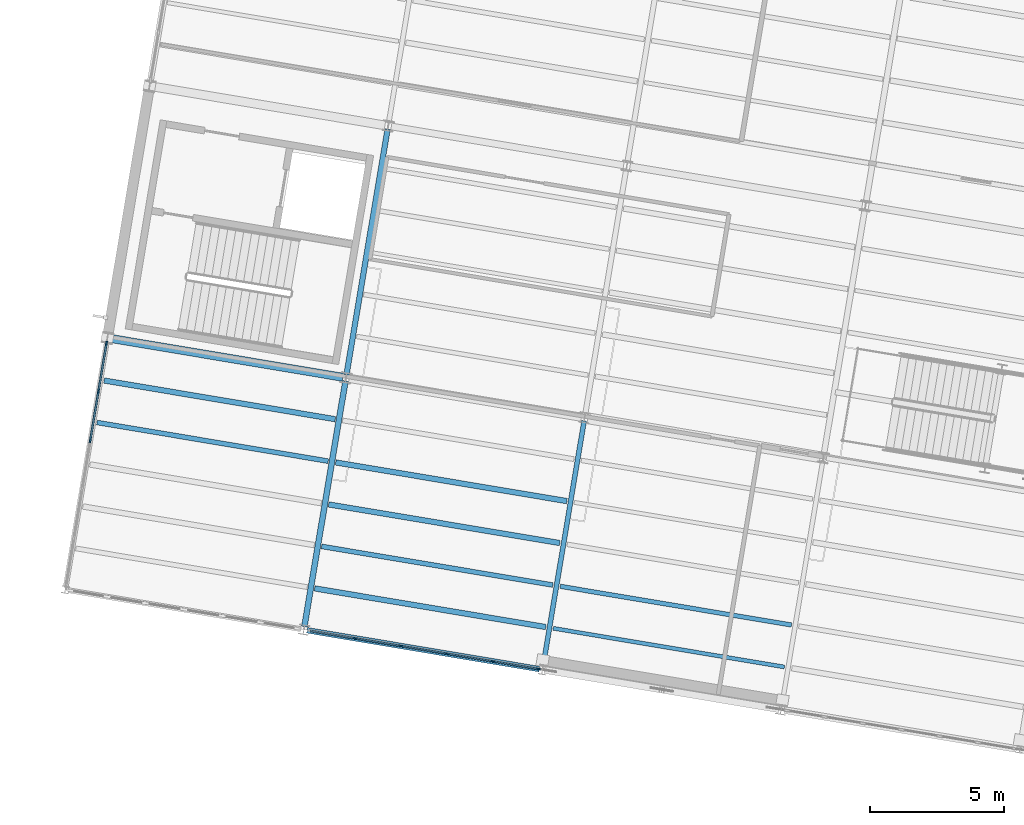
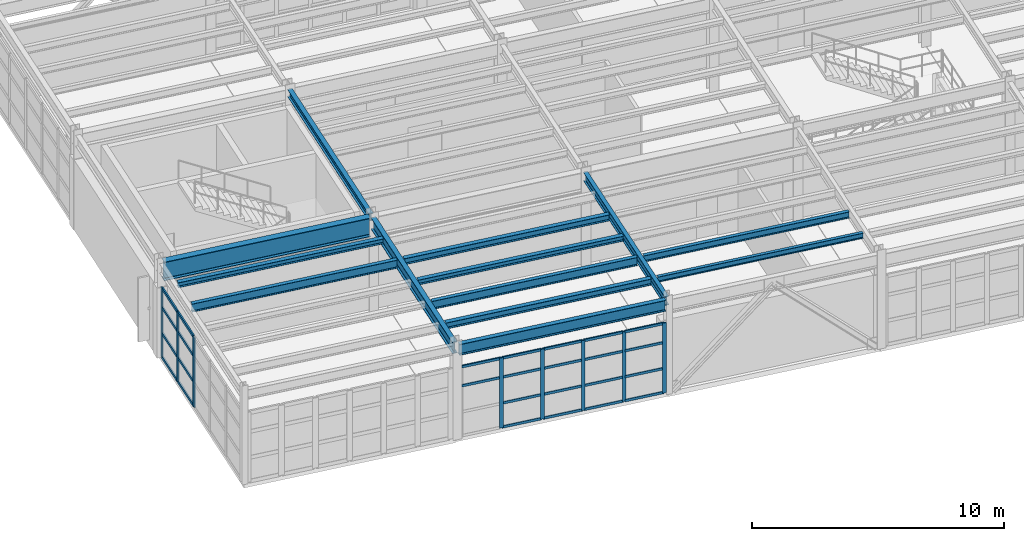
# One storey, part 40 of 109: 34 members, 13 beams, 2 elements without a shape of their own.
"""IFC4 building model written with IfcOpenShell, lengths in metres."""

from ifc_helpers import new_model, si_unit, direction, frame, origin, origin_2d, place, context, subcontext, project, spatial, rectangle, i_section, extrude, material, layer, layer_set, material_profile, profile_set, type_object, element, aggregate, save


model = new_model("IFC4")

# Units and contexts
model_context = context("Model", 3, precision=1e-05, world=origin(), true_north=direction((0.0, 1.0)))
body_context = subcontext(model_context, "Body", "Model", "MODEL_VIEW")
ifc_project = project(units=[si_unit("LENGTHUNIT", "METRE"), si_unit("AREAUNIT", "SQUARE_METRE"), si_unit("VOLUMEUNIT", "CUBIC_METRE"), si_unit("PLANEANGLEUNIT", "RADIAN"), si_unit("MASSUNIT", "GRAM", prefix="KILO")], contexts=[model_context])

# Site, building, storey
site_placement = place(None, origin())
site = spatial("IfcSite", under=ifc_project, at=site_placement, CompositionType="ELEMENT")
building_placement = place(site_placement, origin())
building = spatial("IfcBuilding", under=site, at=building_placement, Name="Vireo Bluff Cable Station", CompositionType="ELEMENT")
storey_placement = place(building_placement, frame((0.0, 0.0, 4.800048828125)))
storey = spatial("IfcBuildingStorey", under=building, at=storey_placement, Name="L01", CompositionType="ELEMENT", Elevation=4.800048828125)

# Beams
ifc_material_1 = material(Name="Steel ASTM A992 Gr. 50", Category="steel")
ifc_material_profile_1 = material_profile(ifc_material_1, i_section(OverallWidth=0.2041015625, OverallDepth=0.35009765625, WebThickness=0.008544921875, FlangeThickness=0.01513671875, FilletRadius=0.010009765625, at=origin_2d()), Name="W14X48")
ifc_profile_set_1 = profile_set([ifc_material_profile_1], Name="Steel ASTM A992 Gr. 50")
beam_type_1 = type_object("IfcBeamType", Name="BM-W14X48", PredefinedType="BEAM", material=ifc_profile_set_1)
beam_1_placement = place(storey_placement, frame((15.96435546875, 79.502685546875, 4.364990234375), z_axis=(0.165044536891, 0.986286115102, 0.0), x_axis=(-0.986286115102, 0.165044536891, 0.0)))
element("IfcBeam", 1, at=beam_1_placement, inside=storey, type_object=beam_type_1, Name="V4 L01 beam 896", PredefinedType="BEAM", context=body_context, shape_type="SweptSolid", body=[
    extrude(i_section(OverallWidth=0.2041015625, OverallDepth=0.35009765625, WebThickness=0.008544921875, FlangeThickness=0.01513671875, FilletRadius=0.010009765625, at=origin_2d()), origin(), (0.0, 0.0, 1.0), 9.260009765625),
])
ifc_material_profile_2 = material_profile(ifc_material_1, i_section(OverallWidth=0.180908203125, OverallDepth=0.4169921875, WebThickness=0.010986328125, FlangeThickness=0.018310546875, FilletRadius=0.010009765625, at=origin_2d()), Name="W16X57")
ifc_profile_set_2 = profile_set([ifc_material_profile_2], Name="Steel ASTM A992 Gr. 50")
beam_type_2 = type_object("IfcBeamType", Name="BM-W16X57", PredefinedType="BEAM", material=ifc_profile_set_2)
beam_2_placement = place(storey_placement, frame((23.27294921875, 68.6474609375, 4.33154296875), z_axis=(0.165044536891, 0.986286115102, 0.0), x_axis=(-0.986286115102, 0.165044536891, 0.0)))
element("IfcBeam", 2, at=beam_2_placement, inside=storey, type_object=beam_type_2, Name="V4 L01 beam 898", PredefinedType="BEAM", context=body_context, shape_type="SweptSolid", body=[
    extrude(i_section(OverallWidth=0.180908203125, OverallDepth=0.4169921875, WebThickness=0.010986328125, FlangeThickness=0.018310546875, FilletRadius=0.010009765625, at=origin_2d()), origin(), (0.0, 0.0, 1.0), 9.260009765625),
])
ifc_material_profile_3 = material_profile(ifc_material_1, i_section(OverallWidth=0.214111328125, OverallDepth=0.549072265625, WebThickness=0.0146484375, FlangeThickness=0.023681640625, FilletRadius=0.012939453125, at=origin_2d()), Name="W21X93")
ifc_profile_set_3 = profile_set([ifc_material_profile_3], Name="Steel ASTM A992 Gr. 50")
beam_type_3 = type_object("IfcBeamType", Name="BM-W21X93", PredefinedType="BEAM", material=ifc_profile_set_3)
beam_3_placement = place(storey_placement, frame((14.396484375, 70.1328125, 4.265380859375), z_axis=(0.165044536891, 0.986286115102, 0.0), x_axis=(-0.986286115102, 0.165044536891, 0.0)))
element("IfcBeam", 3, at=beam_3_placement, inside=storey, type_object=beam_type_3, Name="V4 L01 beam 895", PredefinedType="BEAM", context=body_context, shape_type="SweptSolid", body=[
    extrude(i_section(OverallWidth=0.214111328125, OverallDepth=0.549072265625, WebThickness=0.0146484375, FlangeThickness=0.023681640625, FilletRadius=0.012939453125, at=origin_2d()), origin(), (0.0, 0.0, 1.0), 9.260009765625),
])

# Curtain wall, members
ifc_material_2 = material(Name="Anodized Aluminium 6063-T6", Category="aluminium")
ifc_layer_1 = layer(ifc_material_2, 0.159912109375, Name="Anodized Aluminium 6063-T6")
ifc_layer_set_1 = layer_set([ifc_layer_1], Name="Anodized Aluminium 6063-T6")
curtain_wall_type_1 = type_object("IfcCurtainWallType", Name="CW-STICK-1750", PredefinedType="USERDEFINED", material=ifc_layer_set_1)
curtain_wall_1_placement = place(storey_placement, origin())
curtain_wall_1 = element("IfcCurtainWall", 4, at=curtain_wall_1_placement, inside=storey, type_object=curtain_wall_type_1, Name="V4 L01 west curtain wall CW-088", ObjectType="STICK CURTAIN WALL", PredefinedType="USERDEFINED")
ifc_material_profile_4 = material_profile(ifc_material_2, rectangle(XDim=0.06494140625, YDim=0.179931640625, at=origin_2d()), Name="ALU-M-65X180")
ifc_profile_set_4 = profile_set([ifc_material_profile_4], Name="Anodized Aluminium 6063-T6")
member_type_1 = type_object("IfcMemberType", Name="CWM-01", PredefinedType="MULLION", material=ifc_profile_set_4)
member_1_placement = place(storey_placement, frame((6.431396484375, 77.0654296875, 0.0), z_axis=(0.0, 0.0, 1.0), x_axis=(-0.986285590637, 0.165047670998, 0.0)))
member_1 = element("IfcMember", 5, at=member_1_placement, type_object=member_type_1, Name="CW-088 mullion 4", PredefinedType="MULLION", context=body_context, shape_type="SweptSolid", body=[
    extrude(rectangle(XDim=0.06494140625, YDim=0.179931640625, at=origin_2d()), origin(), (0.0, 0.0, 1.0), 3.39990234375),
])
member_2_placement = place(storey_placement, frame((6.734619140625, 78.8779296875, 0.0), z_axis=(0.0, 0.0, 1.0), x_axis=(-0.986285590637, 0.165047670998, 0.0)))
member_2 = element("IfcMember", 6, at=member_2_placement, type_object=member_type_1, Name="CW-088 mullion 5", PredefinedType="MULLION", context=body_context, shape_type="SweptSolid", body=[
    extrude(rectangle(XDim=0.06494140625, YDim=0.179931640625, at=origin_2d()), origin(), (0.0, 0.0, 1.0), 3.39990234375),
])
member_3_placement = place(storey_placement, frame((7.032470703125, 80.658203125, 0.0), z_axis=(0.0, 0.0, 1.0), x_axis=(-0.986285590637, 0.165047670998, 0.0)))
member_3 = element("IfcMember", 7, at=member_3_placement, type_object=member_type_1, Name="CW-088 mullion 6", PredefinedType="MULLION", context=body_context, shape_type="SweptSolid", body=[
    extrude(rectangle(XDim=0.06494140625, YDim=0.179931640625, at=origin_2d()), origin(), (0.0, 0.0, 1.0), 3.39990234375),
])

ifc_layer_2 = layer(ifc_material_2, 0.179931640625, Name="Anodized Aluminium 6063-T6")
ifc_layer_set_2 = layer_set([ifc_layer_2], Name="Anodized Aluminium 6063-T6")
curtain_wall_type_2 = type_object("IfcCurtainWallType", Name="CW-UNIT-1650", PredefinedType="USERDEFINED", material=ifc_layer_set_2)
curtain_wall_2_placement = place(storey_placement, origin())
curtain_wall_2 = element("IfcCurtainWall", 8, at=curtain_wall_2_placement, inside=storey, type_object=curtain_wall_type_2, Name="V4 L01 south curtain wall CW-086", ObjectType="UNITISED CURTAIN WALL", PredefinedType="USERDEFINED")
ifc_material_profile_5 = material_profile(ifc_material_2, rectangle(XDim=0.06005859375, YDim=0.159912109375, at=origin_2d()), Name="ALU-M-60X160")
ifc_profile_set_5 = profile_set([ifc_material_profile_5], Name="Anodized Aluminium 6063-T6")
member_type_2 = type_object("IfcMemberType", Name="CWM-03", PredefinedType="MULLION", material=ifc_profile_set_5)
member_4_placement = place(storey_placement, frame((23.0947265625, 68.5556640625, 0.0), z_axis=(0.0, 0.0, 1.0), x_axis=(-0.165047619064, -0.986285599328, 0.0)))
member_4 = element("IfcMember", 9, at=member_4_placement, type_object=member_type_2, Name="CW-086 mullion 1", PredefinedType="MULLION", context=body_context, shape_type="SweptSolid", body=[
    extrude(rectangle(XDim=0.06005859375, YDim=0.159912109375, at=origin_2d()), origin(), (0.0, 0.0, 1.0), 3.39990234375),
])
member_5_placement = place(storey_placement, frame((21.411865234375, 68.83740234375, 0.0), z_axis=(0.0, 0.0, 1.0), x_axis=(-0.165047619064, -0.986285599328, 0.0)))
member_5 = element("IfcMember", 10, at=member_5_placement, type_object=member_type_2, Name="CW-086 mullion 2", PredefinedType="MULLION", context=body_context, shape_type="SweptSolid", body=[
    extrude(rectangle(XDim=0.06005859375, YDim=0.159912109375, at=origin_2d()), origin(), (0.0, 0.0, 1.0), 3.39990234375),
])
member_6_placement = place(storey_placement, frame((19.698974609375, 69.123779296875, 0.0), z_axis=(0.0, 0.0, 1.0), x_axis=(-0.165047619064, -0.986285599328, 0.0)))
member_6 = element("IfcMember", 11, at=member_6_placement, type_object=member_type_2, Name="CW-086 mullion 3", PredefinedType="MULLION", context=body_context, shape_type="SweptSolid", body=[
    extrude(rectangle(XDim=0.06005859375, YDim=0.159912109375, at=origin_2d()), origin(), (0.0, 0.0, 1.0), 3.39990234375),
])
member_7_placement = place(storey_placement, frame((17.986328125, 69.410400390625, 0.0), z_axis=(0.0, 0.0, 1.0), x_axis=(-0.165047619064, -0.986285599328, 0.0)))
member_7 = element("IfcMember", 12, at=member_7_placement, type_object=member_type_2, Name="CW-086 mullion 4", PredefinedType="MULLION", context=body_context, shape_type="SweptSolid", body=[
    extrude(rectangle(XDim=0.06005859375, YDim=0.159912109375, at=origin_2d()), origin(), (0.0, 0.0, 1.0), 3.39990234375),
])
member_8_placement = place(storey_placement, frame((16.273681640625, 69.697021484375, 0.0), z_axis=(0.0, 0.0, 1.0), x_axis=(-0.165047619064, -0.986285599328, 0.0)))
member_8 = element("IfcMember", 13, at=member_8_placement, type_object=member_type_2, Name="CW-086 mullion 5", PredefinedType="MULLION", context=body_context, shape_type="SweptSolid", body=[
    extrude(rectangle(XDim=0.06005859375, YDim=0.159912109375, at=origin_2d()), origin(), (0.0, 0.0, 1.0), 3.39990234375),
])

# Member
ifc_material_profile_6 = material_profile(ifc_material_2, rectangle(XDim=0.06494140625, YDim=0.139892578125, at=origin_2d()), Name="ALU-T-65X140")
ifc_profile_set_6 = profile_set([ifc_material_profile_6], Name="Anodized Aluminium 6063-T6")
member_type_3 = type_object("IfcMemberType", Name="CWT-01", PredefinedType="USERDEFINED", material=ifc_profile_set_6)
member_9_placement = place(storey_placement, frame((6.436767578125, 77.097412109375, 0.032470703125), z_axis=(0.165001995958, 0.986293232933, 0.0), x_axis=(-0.986293232933, 0.165001995958, 0.0)))
member_9 = element("IfcMember", 14, at=member_9_placement, type_object=member_type_3, Name="CW-088 transom 4.1", ObjectType="TRANSOM", PredefinedType="USERDEFINED", context=body_context, shape_type="SweptSolid", body=[
    extrude(rectangle(XDim=0.06494140625, YDim=0.139892578125, at=origin_2d()), origin(), (0.0, 0.0, 1.0), 1.772705078125),
])

member_10_placement = place(storey_placement, frame((6.436767578125, 77.097412109375, 1.18994140625), z_axis=(0.165001995958, 0.986293232933, 0.0), x_axis=(-0.986293232933, 0.165001995958, 0.0)))
member_10 = element("IfcMember", 15, at=member_10_placement, type_object=member_type_3, Name="CW-088 transom 4.2", ObjectType="TRANSOM", PredefinedType="USERDEFINED", context=body_context, shape_type="SweptSolid", body=[
    extrude(rectangle(XDim=0.06494140625, YDim=0.139892578125, at=origin_2d()), origin(), (0.0, 0.0, 1.0), 1.772705078125),
])

member_11_placement = place(storey_placement, frame((6.436767578125, 77.097412109375, 2.447998046875), z_axis=(0.165001995958, 0.986293232933, 0.0), x_axis=(-0.986293232933, 0.165001995958, 0.0)))
member_11 = element("IfcMember", 16, at=member_11_placement, type_object=member_type_3, Name="CW-088 transom 4.3", ObjectType="TRANSOM", PredefinedType="USERDEFINED", context=body_context, shape_type="SweptSolid", body=[
    extrude(rectangle(XDim=0.06494140625, YDim=0.139892578125, at=origin_2d()), origin(), (0.0, 0.0, 1.0), 1.772705078125),
])

member_12_placement = place(storey_placement, frame((6.436767578125, 77.097412109375, 3.367431640625), z_axis=(0.165001995958, 0.986293232933, 0.0), x_axis=(-0.986293232933, 0.165001995958, 0.0)))
member_12 = element("IfcMember", 17, at=member_12_placement, type_object=member_type_3, Name="CW-088 transom 4.4", ObjectType="TRANSOM", PredefinedType="USERDEFINED", context=body_context, shape_type="SweptSolid", body=[
    extrude(rectangle(XDim=0.06494140625, YDim=0.139892578125, at=origin_2d()), origin(), (0.0, 0.0, 1.0), 1.772705078125),
])

member_13_placement = place(storey_placement, frame((6.739990234375, 78.909912109375, 0.032470703125), z_axis=(0.164990484578, 0.986295158661, 0.0), x_axis=(-0.986295158661, 0.164990484578, 0.0)))
member_13 = element("IfcMember", 18, at=member_13_placement, type_object=member_type_3, Name="CW-088 transom 5.1", ObjectType="TRANSOM", PredefinedType="USERDEFINED", context=body_context, shape_type="SweptSolid", body=[
    extrude(rectangle(XDim=0.06494140625, YDim=0.139892578125, at=origin_2d()), origin(), (0.0, 0.0, 1.0), 1.740234375),
])

member_14_placement = place(storey_placement, frame((6.739990234375, 78.909912109375, 1.18994140625), z_axis=(0.164990484578, 0.986295158661, 0.0), x_axis=(-0.986295158661, 0.164990484578, 0.0)))
member_14 = element("IfcMember", 19, at=member_14_placement, type_object=member_type_3, Name="CW-088 transom 5.2", ObjectType="TRANSOM", PredefinedType="USERDEFINED", context=body_context, shape_type="SweptSolid", body=[
    extrude(rectangle(XDim=0.06494140625, YDim=0.139892578125, at=origin_2d()), origin(), (0.0, 0.0, 1.0), 1.740234375),
])

member_15_placement = place(storey_placement, frame((6.739990234375, 78.909912109375, 2.447998046875), z_axis=(0.164990484578, 0.986295158661, 0.0), x_axis=(-0.986295158661, 0.164990484578, 0.0)))
member_15 = element("IfcMember", 20, at=member_15_placement, type_object=member_type_3, Name="CW-088 transom 5.3", ObjectType="TRANSOM", PredefinedType="USERDEFINED", context=body_context, shape_type="SweptSolid", body=[
    extrude(rectangle(XDim=0.06494140625, YDim=0.139892578125, at=origin_2d()), origin(), (0.0, 0.0, 1.0), 1.740234375),
])

member_16_placement = place(storey_placement, frame((6.739990234375, 78.909912109375, 3.367431640625), z_axis=(0.164990484578, 0.986295158661, 0.0), x_axis=(-0.986295158661, 0.164990484578, 0.0)))
member_16 = element("IfcMember", 21, at=member_16_placement, type_object=member_type_3, Name="CW-088 transom 5.4", ObjectType="TRANSOM", PredefinedType="USERDEFINED", context=body_context, shape_type="SweptSolid", body=[
    extrude(rectangle(XDim=0.06494140625, YDim=0.139892578125, at=origin_2d()), origin(), (0.0, 0.0, 1.0), 1.740234375),
])

aggregate(curtain_wall_1, [member_1, member_2, member_3, member_9, member_10, member_11, member_12, member_13, member_14, member_15, member_16])

ifc_material_profile_7 = material_profile(ifc_material_2, rectangle(XDim=0.06005859375, YDim=0.1201171875, at=origin_2d()), Name="ALU-T-60X120")
ifc_profile_set_7 = profile_set([ifc_material_profile_7], Name="Anodized Aluminium 6063-T6")
member_type_4 = type_object("IfcMemberType", Name="CWT-03", PredefinedType="USERDEFINED", material=ifc_profile_set_7)
member_17_placement = place(storey_placement, frame((23.065185546875, 68.560546875, 0.030029296875), z_axis=(-0.986285497568, 0.165048227153, 0.0), x_axis=(-0.165048227153, -0.986285497568, 0.0)))
member_17 = element("IfcMember", 22, at=member_17_placement, type_object=member_type_4, Name="CW-086 transom 1.1", ObjectType="TRANSOM", PredefinedType="USERDEFINED", context=body_context, shape_type="SweptSolid", body=[
    extrude(rectangle(XDim=0.06005859375, YDim=0.1201171875, at=origin_2d()), origin(), (0.0, 0.0, 1.0), 1.646240234375),
])

member_18_placement = place(storey_placement, frame((23.065185546875, 68.560546875, 1.18994140625), z_axis=(-0.986285497568, 0.165048227153, 0.0), x_axis=(-0.165048227153, -0.986285497568, 0.0)))
member_18 = element("IfcMember", 23, at=member_18_placement, type_object=member_type_4, Name="CW-086 transom 1.2", ObjectType="TRANSOM", PredefinedType="USERDEFINED", context=body_context, shape_type="SweptSolid", body=[
    extrude(rectangle(XDim=0.06005859375, YDim=0.1201171875, at=origin_2d()), origin(), (0.0, 0.0, 1.0), 1.646240234375),
])

member_19_placement = place(storey_placement, frame((23.065185546875, 68.560546875, 2.447998046875), z_axis=(-0.986285497568, 0.165048227153, 0.0), x_axis=(-0.165048227153, -0.986285497568, 0.0)))
member_19 = element("IfcMember", 24, at=member_19_placement, type_object=member_type_4, Name="CW-086 transom 1.3", ObjectType="TRANSOM", PredefinedType="USERDEFINED", context=body_context, shape_type="SweptSolid", body=[
    extrude(rectangle(XDim=0.06005859375, YDim=0.1201171875, at=origin_2d()), origin(), (0.0, 0.0, 1.0), 1.646240234375),
])

member_20_placement = place(storey_placement, frame((23.065185546875, 68.560546875, 3.369873046875), z_axis=(-0.986285497568, 0.165048227153, 0.0), x_axis=(-0.165048227153, -0.986285497568, 0.0)))
member_20 = element("IfcMember", 25, at=member_20_placement, type_object=member_type_4, Name="CW-086 transom 1.4", ObjectType="TRANSOM", PredefinedType="USERDEFINED", context=body_context, shape_type="SweptSolid", body=[
    extrude(rectangle(XDim=0.06005859375, YDim=0.1201171875, at=origin_2d()), origin(), (0.0, 0.0, 1.0), 1.646240234375),
])

member_21_placement = place(storey_placement, frame((21.382080078125, 68.84228515625, 0.030029296875), z_axis=(-0.986291389279, 0.165013015956, 0.0), x_axis=(-0.165013015956, -0.986291389279, 0.0)))
member_21 = element("IfcMember", 26, at=member_21_placement, type_object=member_type_4, Name="CW-086 transom 2.1", ObjectType="TRANSOM", PredefinedType="USERDEFINED", context=body_context, shape_type="SweptSolid", body=[
    extrude(rectangle(XDim=0.06005859375, YDim=0.1201171875, at=origin_2d()), origin(), (0.0, 0.0, 1.0), 1.67626953125),
])

member_22_placement = place(storey_placement, frame((21.382080078125, 68.84228515625, 1.18994140625), z_axis=(-0.986291389279, 0.165013015956, 0.0), x_axis=(-0.165013015956, -0.986291389279, 0.0)))
member_22 = element("IfcMember", 27, at=member_22_placement, type_object=member_type_4, Name="CW-086 transom 2.2", ObjectType="TRANSOM", PredefinedType="USERDEFINED", context=body_context, shape_type="SweptSolid", body=[
    extrude(rectangle(XDim=0.06005859375, YDim=0.1201171875, at=origin_2d()), origin(), (0.0, 0.0, 1.0), 1.67626953125),
])

member_23_placement = place(storey_placement, frame((21.382080078125, 68.84228515625, 2.447998046875), z_axis=(-0.986291389279, 0.165013015956, 0.0), x_axis=(-0.165013015956, -0.986291389279, 0.0)))
member_23 = element("IfcMember", 28, at=member_23_placement, type_object=member_type_4, Name="CW-086 transom 2.3", ObjectType="TRANSOM", PredefinedType="USERDEFINED", context=body_context, shape_type="SweptSolid", body=[
    extrude(rectangle(XDim=0.06005859375, YDim=0.1201171875, at=origin_2d()), origin(), (0.0, 0.0, 1.0), 1.67626953125),
])

member_24_placement = place(storey_placement, frame((21.382080078125, 68.84228515625, 3.369873046875), z_axis=(-0.986291389279, 0.165013015956, 0.0), x_axis=(-0.165013015956, -0.986291389279, 0.0)))
member_24 = element("IfcMember", 29, at=member_24_placement, type_object=member_type_4, Name="CW-086 transom 2.4", ObjectType="TRANSOM", PredefinedType="USERDEFINED", context=body_context, shape_type="SweptSolid", body=[
    extrude(rectangle(XDim=0.06005859375, YDim=0.1201171875, at=origin_2d()), origin(), (0.0, 0.0, 1.0), 1.67626953125),
])

member_25_placement = place(storey_placement, frame((19.66943359375, 69.12890625, 0.030029296875), z_axis=(-0.986295354168, 0.164989315853, 0.0), x_axis=(-0.164989315853, -0.986295354168, 0.0)))
member_25 = element("IfcMember", 30, at=member_25_placement, type_object=member_type_4, Name="CW-086 transom 3.1", ObjectType="TRANSOM", PredefinedType="USERDEFINED", context=body_context, shape_type="SweptSolid", body=[
    extrude(rectangle(XDim=0.06005859375, YDim=0.1201171875, at=origin_2d()), origin(), (0.0, 0.0, 1.0), 1.676513671875),
])

member_26_placement = place(storey_placement, frame((19.66943359375, 69.12890625, 1.18994140625), z_axis=(-0.986295354168, 0.164989315853, 0.0), x_axis=(-0.164989315853, -0.986295354168, 0.0)))
member_26 = element("IfcMember", 31, at=member_26_placement, type_object=member_type_4, Name="CW-086 transom 3.2", ObjectType="TRANSOM", PredefinedType="USERDEFINED", context=body_context, shape_type="SweptSolid", body=[
    extrude(rectangle(XDim=0.06005859375, YDim=0.1201171875, at=origin_2d()), origin(), (0.0, 0.0, 1.0), 1.676513671875),
])

member_27_placement = place(storey_placement, frame((19.66943359375, 69.12890625, 2.447998046875), z_axis=(-0.986295354168, 0.164989315853, 0.0), x_axis=(-0.164989315853, -0.986295354168, 0.0)))
member_27 = element("IfcMember", 32, at=member_27_placement, type_object=member_type_4, Name="CW-086 transom 3.3", ObjectType="TRANSOM", PredefinedType="USERDEFINED", context=body_context, shape_type="SweptSolid", body=[
    extrude(rectangle(XDim=0.06005859375, YDim=0.1201171875, at=origin_2d()), origin(), (0.0, 0.0, 1.0), 1.676513671875),
])

member_28_placement = place(storey_placement, frame((19.66943359375, 69.12890625, 3.369873046875), z_axis=(-0.986295354168, 0.164989315853, 0.0), x_axis=(-0.164989315853, -0.986295354168, 0.0)))
member_28 = element("IfcMember", 33, at=member_28_placement, type_object=member_type_4, Name="CW-086 transom 3.4", ObjectType="TRANSOM", PredefinedType="USERDEFINED", context=body_context, shape_type="SweptSolid", body=[
    extrude(rectangle(XDim=0.06005859375, YDim=0.1201171875, at=origin_2d()), origin(), (0.0, 0.0, 1.0), 1.676513671875),
])

member_29_placement = place(storey_placement, frame((17.956787109375, 69.41552734375, 0.030029296875), z_axis=(-0.986295354168, 0.164989315853, 0.0), x_axis=(-0.164989315853, -0.986295354168, 0.0)))
member_29 = element("IfcMember", 34, at=member_29_placement, type_object=member_type_4, Name="CW-086 transom 4.1", ObjectType="TRANSOM", PredefinedType="USERDEFINED", context=body_context, shape_type="SweptSolid", body=[
    extrude(rectangle(XDim=0.06005859375, YDim=0.1201171875, at=origin_2d()), origin(), (0.0, 0.0, 1.0), 1.676513671875),
])

member_30_placement = place(storey_placement, frame((17.956787109375, 69.41552734375, 1.18994140625), z_axis=(-0.986295354168, 0.164989315853, 0.0), x_axis=(-0.164989315853, -0.986295354168, 0.0)))
member_30 = element("IfcMember", 35, at=member_30_placement, type_object=member_type_4, Name="CW-086 transom 4.2", ObjectType="TRANSOM", PredefinedType="USERDEFINED", context=body_context, shape_type="SweptSolid", body=[
    extrude(rectangle(XDim=0.06005859375, YDim=0.1201171875, at=origin_2d()), origin(), (0.0, 0.0, 1.0), 1.676513671875),
])

member_31_placement = place(storey_placement, frame((17.956787109375, 69.41552734375, 2.447998046875), z_axis=(-0.986295354168, 0.164989315853, 0.0), x_axis=(-0.164989315853, -0.986295354168, 0.0)))
member_31 = element("IfcMember", 36, at=member_31_placement, type_object=member_type_4, Name="CW-086 transom 4.3", ObjectType="TRANSOM", PredefinedType="USERDEFINED", context=body_context, shape_type="SweptSolid", body=[
    extrude(rectangle(XDim=0.06005859375, YDim=0.1201171875, at=origin_2d()), origin(), (0.0, 0.0, 1.0), 1.676513671875),
])

member_32_placement = place(storey_placement, frame((17.956787109375, 69.41552734375, 3.369873046875), z_axis=(-0.986295354168, 0.164989315853, 0.0), x_axis=(-0.164989315853, -0.986295354168, 0.0)))
member_32 = element("IfcMember", 37, at=member_32_placement, type_object=member_type_4, Name="CW-086 transom 4.4", ObjectType="TRANSOM", PredefinedType="USERDEFINED", context=body_context, shape_type="SweptSolid", body=[
    extrude(rectangle(XDim=0.06005859375, YDim=0.1201171875, at=origin_2d()), origin(), (0.0, 0.0, 1.0), 1.676513671875),
])

member_33_placement = place(storey_placement, frame((16.244140625, 69.7021484375, 2.447998046875), z_axis=(-0.986289536274, 0.165024091081, 0.0), x_axis=(-0.165024091081, -0.986289536274, 0.0)))
member_33 = element("IfcMember", 38, at=member_33_placement, type_object=member_type_4, Name="CW-086 transom 5.3", ObjectType="TRANSOM", PredefinedType="USERDEFINED", context=body_context, shape_type="SweptSolid", body=[
    extrude(rectangle(XDim=0.06005859375, YDim=0.1201171875, at=origin_2d()), origin(), (0.0, 0.0, 1.0), 1.646484375),
])

member_34_placement = place(storey_placement, frame((16.244140625, 69.7021484375, 3.369873046875), z_axis=(-0.986289536274, 0.165024091081, 0.0), x_axis=(-0.165024091081, -0.986289536274, 0.0)))
member_34 = element("IfcMember", 39, at=member_34_placement, type_object=member_type_4, Name="CW-086 transom 5.4", ObjectType="TRANSOM", PredefinedType="USERDEFINED", context=body_context, shape_type="SweptSolid", body=[
    extrude(rectangle(XDim=0.06005859375, YDim=0.1201171875, at=origin_2d()), origin(), (0.0, 0.0, 1.0), 1.646484375),
])

aggregate(curtain_wall_2, [member_4, member_5, member_6, member_7, member_8, member_17, member_18, member_19, member_20, member_21, member_22, member_23, member_24, member_25, member_26, member_27, member_28, member_29, member_30, member_31, member_32, member_33, member_34])

# Beams
ifc_material_profile_8 = material_profile(ifc_material_1, i_section(OverallWidth=0.303955078125, OverallDepth=0.912109375, WebThickness=0.015869140625, FlangeThickness=0.02392578125, FilletRadius=0.02001953125, at=origin_2d()), Name="W36X150")
ifc_profile_set_8 = profile_set([ifc_material_profile_8], Name="Steel ASTM A992 Gr. 50")
beam_type_4 = type_object("IfcBeamType", Name="GIR-W36X150", PredefinedType="USERDEFINED", material=ifc_profile_set_8)
beam_4_placement = place(storey_placement, frame((7.186279296875, 80.849853515625, 4.083984375), z_axis=(0.986285998922, -0.165045231163, 0.0), x_axis=(0.165045231163, 0.986285998922, 0.0)))
element("IfcBeam", 40, at=beam_4_placement, inside=storey, type_object=beam_type_4, Name="V4 L01 girder 877", ObjectType="GIRDER", PredefinedType="USERDEFINED", context=body_context, shape_type="SweptSolid", body=[
    extrude(i_section(OverallWidth=0.303955078125, OverallDepth=0.912109375, WebThickness=0.015869140625, FlangeThickness=0.02392578125, FilletRadius=0.02001953125, at=origin_2d()), origin(), (0.0, 0.0, 1.0), 8.760009765625),
])
ifc_material_profile_9 = material_profile(ifc_material_1, i_section(OverallWidth=0.14599609375, OverallDepth=0.259033203125, WebThickness=0.006103515625, FlangeThickness=0.009033203125, FilletRadius=0.009033203125, at=origin_2d()), Name="W10X22")
ifc_profile_set_9 = profile_set([ifc_material_profile_9], Name="Steel ASTM A992 Gr. 50")
beam_type_5 = type_object("IfcBeamType", Name="JST-W10X22", PredefinedType="JOIST", material=ifc_profile_set_9)
beam_5_placement = place(storey_placement, frame((23.652587890625, 70.067626953125, 4.410400390625), z_axis=(0.98628550168, -0.165048202583, 0.0), x_axis=(0.165048202583, 0.98628550168, 0.0)))
element("IfcBeam", 41, at=beam_5_placement, inside=storey, type_object=beam_type_5, Name="V4 L01 composite joist 935", PredefinedType="JOIST", context=body_context, shape_type="SweptSolid", body=[
    extrude(i_section(OverallWidth=0.14599609375, OverallDepth=0.259033203125, WebThickness=0.006103515625, FlangeThickness=0.009033203125, FilletRadius=0.009033203125, at=origin_2d()), origin(), (0.0, 0.0, 1.0), 8.719970703125),
])
ifc_material_profile_10 = material_profile(ifc_material_1, i_section(OverallWidth=0.201904296875, OverallDepth=0.2470703125, WebThickness=0.00732421875, FlangeThickness=0.010986328125, FilletRadius=0.009033203125, at=origin_2d()), Name="W10X33")
ifc_profile_set_10 = profile_set([ifc_material_profile_10], Name="Steel ASTM A992 Gr. 50")
beam_type_6 = type_object("IfcBeamType", Name="JST-W10X33", PredefinedType="JOIST", material=ifc_profile_set_10)
for number, where, z_axis, x_axis, name in (
    (42, (6.94482421875, 79.284912109375, 4.41650390625), (0.98628550168, -0.165048202583, 0.0), (0.165048202583, 0.98628550168, 0.0), "V4 L01 composite joist 914"),
    (43, (15.298583984375, 74.67626953125, 4.41650390625), (0.98628550168, -0.165048202583, 0.0), (0.165048202583, 0.98628550168, 0.0), "V4 L01 composite joist 922"),
):
    element("IfcBeam", number, at=place(storey_placement, frame(where, z_axis=z_axis, x_axis=x_axis)), inside=storey, type_object=beam_type_6, Name=name, PredefinedType="JOIST", context=body_context, shape_type="SweptSolid", body=[
        extrude(i_section(OverallWidth=0.201904296875, OverallDepth=0.2470703125, WebThickness=0.00732421875, FlangeThickness=0.010986328125, FilletRadius=0.009033203125, at=origin_2d()), origin(), (0.0, 0.0, 1.0), 8.719970703125),
    ])
ifc_material_profile_11 = material_profile(ifc_material_1, i_section(OverallWidth=0.1650390625, OverallDepth=0.31005859375, WebThickness=0.005859375, FlangeThickness=0.009765625, FilletRadius=0.010009765625, at=origin_2d()), Name="W12X26")
ifc_profile_set_11 = profile_set([ifc_material_profile_11], Name="Steel ASTM A992 Gr. 50")
beam_type_7 = type_object("IfcBeamType", Name="JST-W12X26", PredefinedType="JOIST", material=ifc_profile_set_11)
beam_6_placement = place(storey_placement, frame((23.913818359375, 71.62939453125, 4.385009765625), z_axis=(0.986280943681, -0.165075437702, 0.0), x_axis=(0.165075437702, 0.986280943681, 0.0)))
element("IfcBeam", 44, at=beam_6_placement, inside=storey, type_object=beam_type_7, Name="V4 L01 composite joist 936", PredefinedType="JOIST", context=body_context, shape_type="SweptSolid", body=[
    extrude(i_section(OverallWidth=0.1650390625, OverallDepth=0.31005859375, WebThickness=0.005859375, FlangeThickness=0.009765625, FilletRadius=0.010009765625, at=origin_2d()), origin(), (0.0, 0.0, 1.0), 8.719970703125),
])
ifc_material_profile_12 = material_profile(ifc_material_1, i_section(OverallWidth=0.202880859375, OverallDepth=0.302978515625, WebThickness=0.007568359375, FlangeThickness=0.01318359375, FilletRadius=0.010009765625, at=origin_2d()), Name="W12X40")
ifc_profile_set_12 = profile_set([ifc_material_profile_12], Name="Steel ASTM A992 Gr. 50")
beam_type_8 = type_object("IfcBeamType", Name="JST-W12X40", PredefinedType="JOIST", material=ifc_profile_set_12)
beam_7_placement = place(storey_placement, frame((14.77587890625, 71.552978515625, 4.388427734375), z_axis=(0.986286264339, -0.165043645063, 0.0), x_axis=(0.165043645063, 0.986286264339, 0.0)))
element("IfcBeam", 45, at=beam_7_placement, inside=storey, type_object=beam_type_8, Name="V4 L01 composite joist 920", PredefinedType="JOIST", context=body_context, shape_type="SweptSolid", body=[
    extrude(i_section(OverallWidth=0.202880859375, OverallDepth=0.302978515625, WebThickness=0.007568359375, FlangeThickness=0.01318359375, FilletRadius=0.010009765625, at=origin_2d()), origin(), (0.0, 0.0, 1.0), 8.72021484375),
])
beam_8_placement = place(storey_placement, frame((15.56005859375, 76.238037109375, 4.388427734375), z_axis=(0.98628550168, -0.165048202583, 0.0), x_axis=(0.165048202583, 0.98628550168, 0.0)))
element("IfcBeam", 46, at=beam_8_placement, inside=storey, type_object=beam_type_8, Name="V4 L01 composite joist 923", PredefinedType="JOIST", context=body_context, shape_type="SweptSolid", body=[
    extrude(i_section(OverallWidth=0.202880859375, OverallDepth=0.302978515625, WebThickness=0.007568359375, FlangeThickness=0.01318359375, FilletRadius=0.010009765625, at=origin_2d()), origin(), (0.0, 0.0, 1.0), 8.719970703125),
])
ifc_material_profile_13 = material_profile(ifc_material_1, i_section(OverallWidth=0.177978515625, OverallDepth=0.404052734375, WebThickness=0.007568359375, FlangeThickness=0.010986328125, FilletRadius=0.010009765625, at=origin_2d()), Name="W16X36")
ifc_profile_set_13 = profile_set([ifc_material_profile_13], Name="Steel ASTM A992 Gr. 50")
beam_type_9 = type_object("IfcBeamType", Name="JST-W16X36", PredefinedType="JOIST", material=ifc_profile_set_13)
for number, where, z_axis, x_axis, name in (
    (47, (6.683349609375, 77.723388671875, 4.337890625), (0.98628550168, -0.165048202583, 0.0), (0.165048202583, 0.98628550168, 0.0), "V4 L01 composite joist 913"),
    (48, (15.037353515625, 73.11474609375, 4.337890625), (0.98628550168, -0.165048202583, 0.0), (0.165048202583, 0.98628550168, 0.0), "V4 L01 composite joist 921"),
):
    element("IfcBeam", number, at=place(storey_placement, frame(where, z_axis=z_axis, x_axis=x_axis)), inside=storey, type_object=beam_type_9, Name=name, PredefinedType="JOIST", context=body_context, shape_type="SweptSolid", body=[
        extrude(i_section(OverallWidth=0.177978515625, OverallDepth=0.404052734375, WebThickness=0.007568359375, FlangeThickness=0.010986328125, FilletRadius=0.010009765625, at=origin_2d()), origin(), (0.0, 0.0, 1.0), 8.719970703125),
    ])
ifc_material_profile_14 = material_profile(ifc_material_1, i_section(OverallWidth=0.2099609375, OverallDepth=0.535888671875, WebThickness=0.010986328125, FlangeThickness=0.017333984375, FilletRadius=0.012939453125, at=origin_2d()), Name="W21X68")
ifc_profile_set_14 = profile_set([ifc_material_profile_14], Name="Steel ASTM A992 Gr. 50")
beam_type_10 = type_object("IfcBeamType", Name="SPN-W21X68", PredefinedType="SPANDREL", material=ifc_profile_set_14)
beam_9_placement = place(storey_placement, frame((14.494873046875, 69.994873046875, 4.27197265625), z_axis=(0.986281461867, -0.16507234165, 0.0), x_axis=(0.16507234165, 0.986281461867, 0.0)))
element("IfcBeam", 49, at=beam_9_placement, inside=storey, type_object=beam_type_10, Name="V4 L01 spandrel 873", PredefinedType="SPANDREL", context=body_context, shape_type="SweptSolid", body=[
    extrude(i_section(OverallWidth=0.2099609375, OverallDepth=0.535888671875, WebThickness=0.010986328125, FlangeThickness=0.017333984375, FilletRadius=0.012939453125, at=origin_2d()), origin(), (0.0, 0.0, 1.0), 8.760009765625),
])

save(model, "model.ifc")
